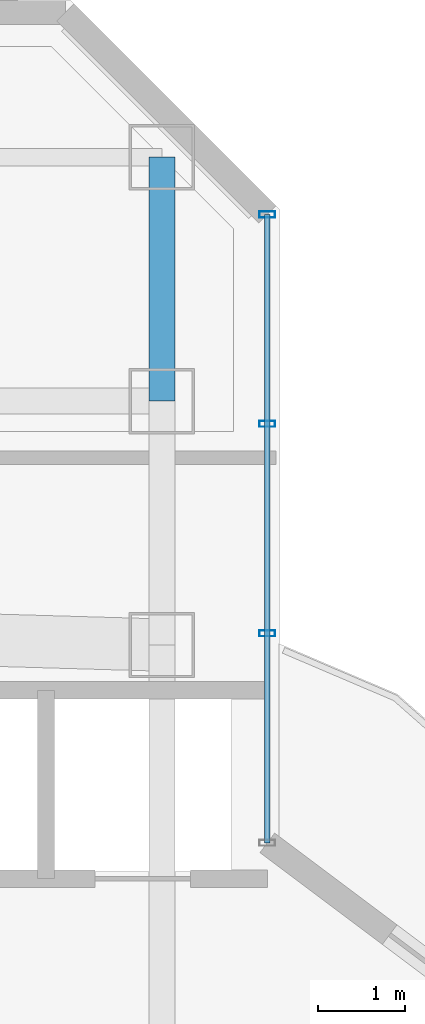
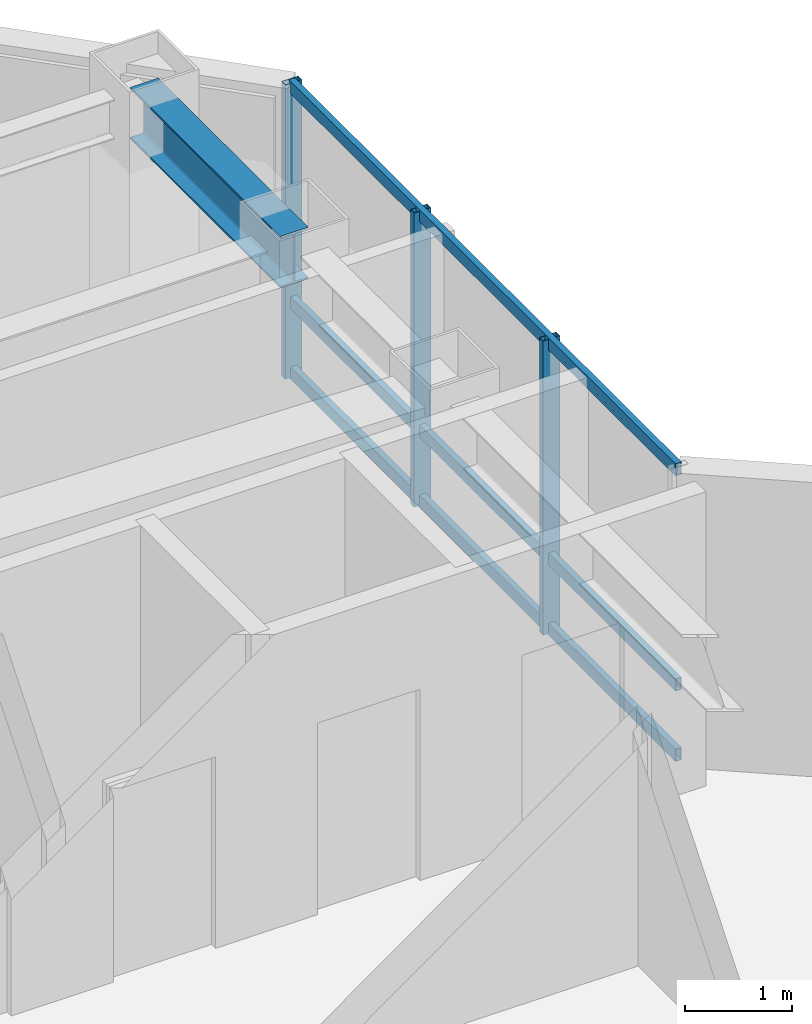
# One storey, part 17 of 25: 6 members, 1 beam, 1 element without a shape of its own.
"""IFC4 building model written with IfcOpenShell, lengths in metres."""

from ifc_helpers import new_model, si_unit, direction, frame, origin, origin_2d, place, context, subcontext, project, spatial, hollow_rectangle, i_section, extrude, material, layer, layer_set, material_profile, profile_set, type_object, element, aggregate, save


model = new_model("IFC4")

# Units and contexts
model_context = context("Model", 3, precision=1e-05, world=origin(), true_north=direction((0.0, 1.0)))
body_context = subcontext(model_context, "Body", "Model", "MODEL_VIEW")
ifc_project = project(units=[si_unit("LENGTHUNIT", "METRE"), si_unit("AREAUNIT", "SQUARE_METRE"), si_unit("VOLUMEUNIT", "CUBIC_METRE"), si_unit("PLANEANGLEUNIT", "RADIAN"), si_unit("MASSUNIT", "GRAM", prefix="KILO")], contexts=[model_context])

# Site, building, storey
site_placement = place(None, origin())
site = spatial("IfcSite", under=ifc_project, at=site_placement, CompositionType="ELEMENT")
building_placement = place(site_placement, origin())
building = spatial("IfcBuilding", under=site, at=building_placement, Name="Hatsunagi Terrace Concourse", CompositionType="ELEMENT")
storey_placement = place(building_placement, frame((0.0, 0.0, 205.949951171875)))
storey = spatial("IfcBuildingStorey", under=building, at=storey_placement, Name="L54", CompositionType="ELEMENT", Elevation=205.949951171875)

# Curtain wall, members
ifc_material_1 = material(Name="Anodised Aluminium Alloy 6063-T5", Category="aluminium")
ifc_layer = layer(ifc_material_1, 0.199951171875)
ifc_layer_set = layer_set([ifc_layer], Name="OfficeZone2_CW04")
curtain_wall_type = type_object("IfcCurtainWallType", Name="OfficeZone2_CW04", PredefinedType="NOTDEFINED", material=ifc_layer_set)
curtain_wall_placement = place(storey_placement, origin())
curtain_wall = element("IfcCurtainWall", 1, at=curtain_wall_placement, inside=storey, type_object=curtain_wall_type, Name="Unitised Curtain Wall CW-04 CW-L54-12", PredefinedType="NOTDEFINED")
ifc_material_2 = material(Name="Anodised Aluminium Alloy 6063-T5", Category="aluminium")
ifc_material_profile_1 = material_profile(ifc_material_2, hollow_rectangle(XDim=0.070068359375, YDim=0.179931640625, WallThickness=0.00390625, at=origin_2d()), Name="ALU-MUL-180x70x4")
ifc_profile_set_1 = profile_set([ifc_material_profile_1], Name="Anodised Aluminium Alloy 6063-T5")
member_type_1 = type_object("IfcMemberType", Name="CurtainWallMullion_180x70", PredefinedType="MULLION", material=ifc_profile_set_1)
member_1_placement = place(storey_placement, frame((44.860107421875, 47.94189453125, 0.0), z_axis=(0.0, 0.0, 1.0), x_axis=(0.0, -1.0, 0.0)))
member_1 = element("IfcMember", 2, at=member_1_placement, type_object=member_type_1, Name="Curtain Wall Mullion MUL-02", PredefinedType="MULLION", context=body_context, shape_type="SweptSolid", body=[
    extrude(hollow_rectangle(XDim=0.070068359375, YDim=0.179931640625, WallThickness=0.00390625, at=origin_2d()), origin(), (0.0, 0.0, 1.0), 3.35009765625),
])
member_2_placement = place(storey_placement, frame((44.860107421875, 45.5380859375, 0.0), z_axis=(0.0, 0.0, 1.0), x_axis=(0.0, -1.0, 0.0)))
member_2 = element("IfcMember", 3, at=member_2_placement, type_object=member_type_1, Name="Curtain Wall Mullion MUL-02", PredefinedType="MULLION", context=body_context, shape_type="SweptSolid", body=[
    extrude(hollow_rectangle(XDim=0.070068359375, YDim=0.179931640625, WallThickness=0.00390625, at=origin_2d()), origin(), (0.0, 0.0, 1.0), 3.35009765625),
])
member_3_placement = place(storey_placement, frame((44.860107421875, 43.134033203125, 0.0), z_axis=(0.0, 0.0, 1.0), x_axis=(0.0, -1.0, 0.0)))
member_3 = element("IfcMember", 4, at=member_3_placement, type_object=member_type_1, Name="Curtain Wall Mullion MUL-02", PredefinedType="MULLION", context=body_context, shape_type="SweptSolid", body=[
    extrude(hollow_rectangle(XDim=0.070068359375, YDim=0.179931640625, WallThickness=0.00390625, at=origin_2d()), origin(), (0.0, 0.0, 1.0), 3.35009765625),
])
ifc_material_3 = material(Name="Anodised Aluminium Alloy 6063-T5", Category="aluminium")
ifc_material_profile_2 = material_profile(ifc_material_3, hollow_rectangle(XDim=0.06494140625, YDim=0.139892578125, WallThickness=0.00390625, at=origin_2d()), Name="ALU-TRN-140x65x4")
ifc_profile_set_2 = profile_set([ifc_material_profile_2], Name="Anodised Aluminium Alloy 6063-T5")
member_type_2 = type_object("IfcMemberType", Name="CurtainWallTransom_140x65", PredefinedType="USERDEFINED", material=ifc_profile_set_2)
member_4_placement = place(storey_placement, frame((44.860107421875, 47.94189453125, 0.050048828125), z_axis=(0.0, -1.0, 0.0), x_axis=(1.0, 0.0, 0.0)))
member_4 = element("IfcMember", 5, at=member_4_placement, type_object=member_type_2, Name="Curtain Wall Transom TRN-02", ObjectType="TRANSOM", PredefinedType="USERDEFINED", context=body_context, shape_type="SweptSolid", body=[
    extrude(hollow_rectangle(XDim=0.06494140625, YDim=0.139892578125, WallThickness=0.00390625, at=origin_2d()), origin(), (0.0, 0.0, 1.0), 7.2119140625),
])
member_5_placement = place(storey_placement, frame((44.860107421875, 47.94189453125, 0.85009765625), z_axis=(0.0, -1.0, 0.0), x_axis=(1.0, 0.0, 0.0)))
member_5 = element("IfcMember", 6, at=member_5_placement, type_object=member_type_2, Name="Curtain Wall Transom TRN-02", ObjectType="TRANSOM", PredefinedType="USERDEFINED", context=body_context, shape_type="SweptSolid", body=[
    extrude(hollow_rectangle(XDim=0.06494140625, YDim=0.139892578125, WallThickness=0.00390625, at=origin_2d()), origin(), (0.0, 0.0, 1.0), 7.2119140625),
])
member_6_placement = place(storey_placement, frame((44.860107421875, 47.94189453125, 3.300048828125), z_axis=(0.0, -1.0, 0.0), x_axis=(1.0, 0.0, 0.0)))
member_6 = element("IfcMember", 7, at=member_6_placement, type_object=member_type_2, Name="Curtain Wall Transom TRN-02", ObjectType="TRANSOM", PredefinedType="USERDEFINED", context=body_context, shape_type="SweptSolid", body=[
    extrude(hollow_rectangle(XDim=0.06494140625, YDim=0.139892578125, WallThickness=0.00390625, at=origin_2d()), origin(), (0.0, 0.0, 1.0), 7.2119140625),
])
aggregate(curtain_wall, [member_1, member_2, member_3, member_4, member_5, member_6])

# Beam
ifc_material_4 = material(Name="Steel SN490B", Category="steel")
ifc_material_profile_3 = material_profile(ifc_material_4, i_section(OverallWidth=0.300048828125, OverallDepth=0.587890625, WebThickness=0.011962890625, FlangeThickness=0.02001953125, FilletRadius=0.01806640625, at=origin_2d()), Name="H-588x300x12x20")
ifc_profile_set_3 = profile_set([ifc_material_profile_3], Name="Steel SN490B")
beam_type = type_object("IfcBeamType", Name="OfficeHighGirder_H_588x300", PredefinedType="BEAM", material=ifc_profile_set_3)
beam_placement = place(storey_placement, frame((43.64990234375, 45.800048828125, 3.05615234375), z_axis=(0.0, 1.0, 0.0), x_axis=(-1.0, 0.0, 0.0)))
element("IfcBeam", 8, at=beam_placement, inside=storey, type_object=beam_type, Name="Beam G-06 BM-L54-KN-WN6", PredefinedType="BEAM", context=body_context, shape_type="SweptSolid", body=[
    extrude(i_section(OverallWidth=0.300048828125, OverallDepth=0.587890625, WebThickness=0.011962890625, FlangeThickness=0.02001953125, FilletRadius=0.01806640625, at=origin_2d()), origin(), (0.0, 0.0, 1.0), 2.800048828125),
])

save(model, "model.ifc")
